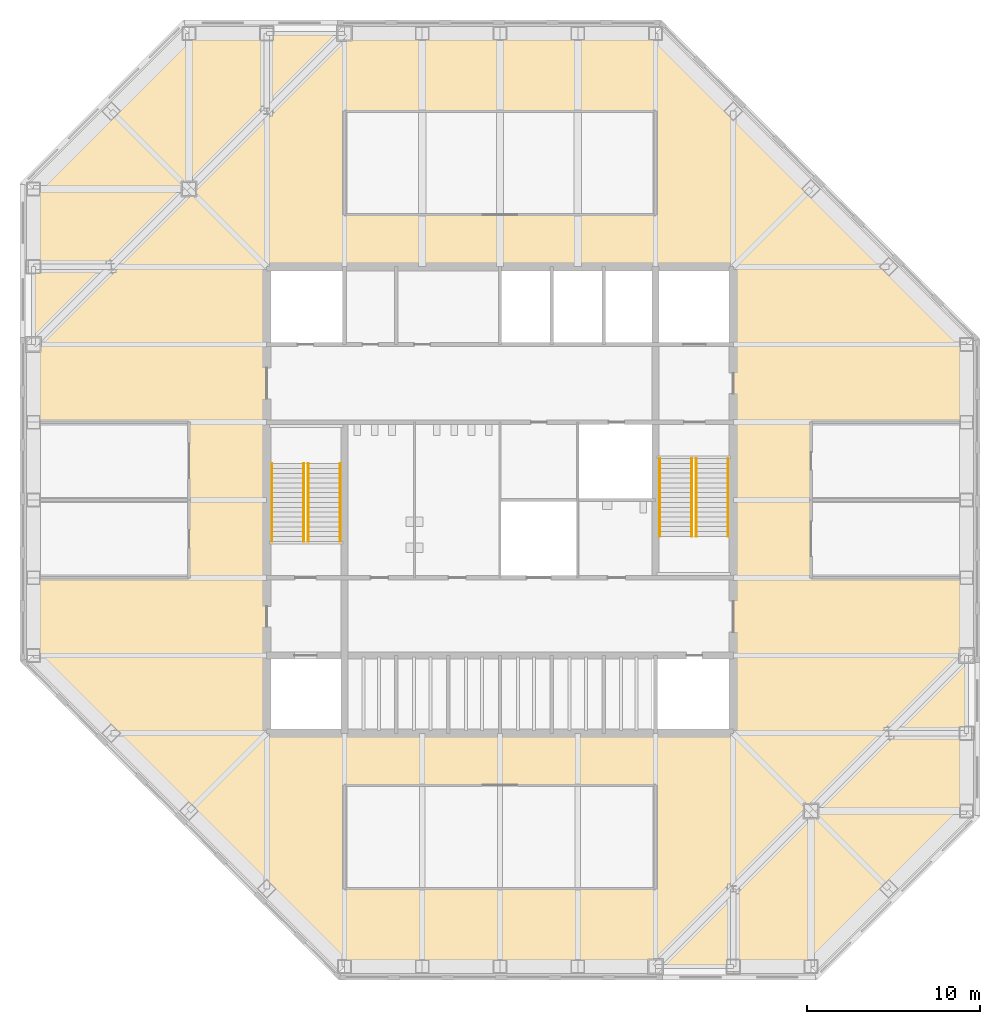
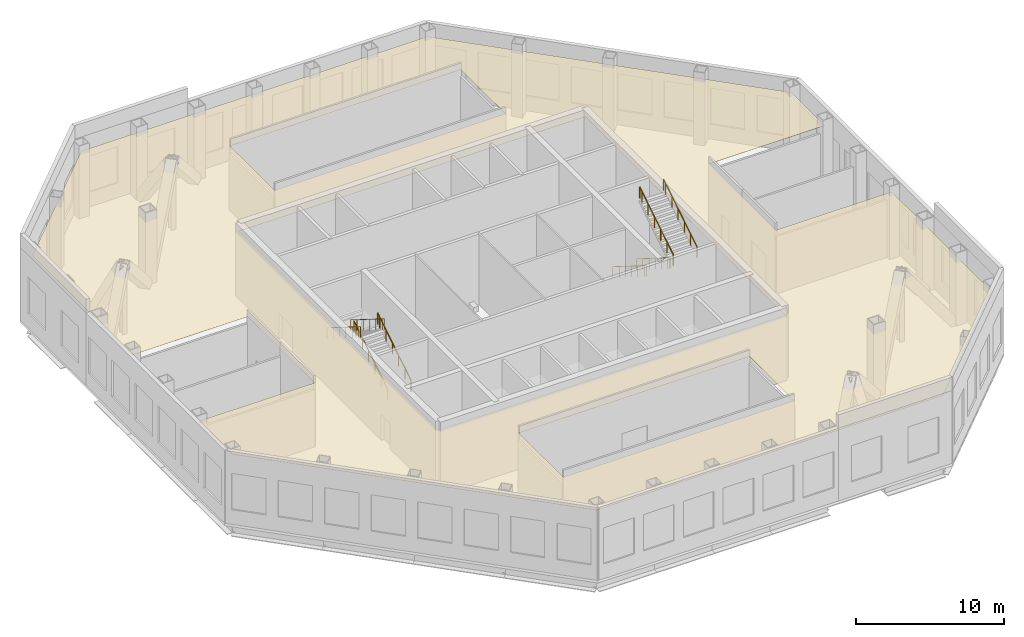
# One storey, part 9 of 10: 8 railings, 1 covering.
"""IFC4 building model written with IfcOpenShell, lengths in metres."""

from ifc_helpers import new_model, si_unit, direction, frame, origin, origin_2d, place, context, subcontext, project, spatial, polyline, circle, outline, extrude, material, layer, layer_set, type_object, element, save


model = new_model("IFC4")

# Units and contexts
model_context = context("Model", 3, precision=1e-05, world=origin(), true_north=direction((0.0, 1.0)))
body_context = subcontext(model_context, "Body", "Model", "MODEL_VIEW")
ifc_project = project(units=[si_unit("LENGTHUNIT", "METRE"), si_unit("AREAUNIT", "SQUARE_METRE"), si_unit("VOLUMEUNIT", "CUBIC_METRE"), si_unit("PLANEANGLEUNIT", "RADIAN"), si_unit("MASSUNIT", "GRAM", prefix="KILO")], contexts=[model_context])

# Site, building, storey
site_placement = place(None, origin())
site = spatial("IfcSite", under=ifc_project, at=site_placement, CompositionType="ELEMENT")
building_placement = place(site_placement, origin())
building = spatial("IfcBuilding", under=site, at=building_placement, Name="Corais Broadcast Tower", CompositionType="ELEMENT")
storey_placement = place(building_placement, frame((0.0, 0.0, 199.60009765625)))
storey = spatial("IfcBuildingStorey", under=building, at=storey_placement, Name="L46", CompositionType="ELEMENT", Elevation=199.60009765625)

# Railings
ifc_material_1 = material(Name="Stainless steel handrail", Category="steel")
railing_type = type_object("IfcRailingType", Name="Handrail 920", PredefinedType="HANDRAIL", material=ifc_material_1)
for number, where, name in (
    (1, (17.75, 24.60009765625, 0.17626953125), "HR1 L46"),
    (2, (15.89990234375, 24.60009765625, 0.17626953125), "HR1 L46"),
):
    element("IfcRailing", number, at=place(storey_placement, frame(where)), inside=storey, type_object=railing_type, Name=name, PredefinedType="HANDRAIL", context=body_context, shape_type="SweptSolid", body=[
        extrude(circle(Radius=0.02392578125, at=origin_2d()), frame((0.0, 0.0, 0.89599609375), z_axis=(0.0, 0.847681201321, 0.530505966911), x_axis=(-1.0, 0.0, 0.0)), (0.0, 0.0, 1.0), 5.32275390625),
        extrude(circle(Radius=0.02099609375, at=origin_2d()), origin(), (0.0, 0.0, 1.0), 0.871826171875),
        extrude(circle(Radius=0.02099609375, at=origin_2d()), frame((0.0, 0.845947265625, 0.529541015625)), (0.0, 0.0, 1.0), 0.871826171875),
        extrude(circle(Radius=0.02099609375, at=origin_2d()), frame((0.0, 1.69189453125, 1.058837890625)), (0.0, 0.0, 1.0), 0.871826171875),
        extrude(circle(Radius=0.02099609375, at=origin_2d()), frame((0.0, 2.5380859375, 1.58837890625)), (0.0, 0.0, 1.0), 0.871826171875),
        extrude(circle(Radius=0.02099609375, at=origin_2d()), frame((0.0, 3.384033203125, 2.11767578125)), (0.0, 0.0, 1.0), 0.871826171875),
        extrude(circle(Radius=0.02099609375, at=origin_2d()), frame((0.0, 4.22998046875, 2.647216796875)), (0.0, 0.0, 1.0), 0.871826171875),
        extrude(circle(Radius=0.02099609375, at=origin_2d()), frame((0.0, 4.511962890625, 2.82373046875)), (0.0, 0.0, 1.0), 0.871826171875),
    ])
for number, where, name in (
    (3, (13.800048828125, 29.112060546875, 3.17626953125), "HR1 L46"),
    (4, (15.64990234375, 29.112060546875, 3.17626953125), "HR1 L46"),
    (5, (36.25, 29.39990234375, 0.17626953125), "HR1 L46"),
    (6, (38.10009765625, 29.39990234375, 0.17626953125), "HR1 L46"),
):
    element("IfcRailing", number, at=place(storey_placement, frame(where)), inside=storey, type_object=railing_type, Name=name, PredefinedType="HANDRAIL", context=body_context, shape_type="SweptSolid", body=[
        extrude(circle(Radius=0.02392578125, at=origin_2d()), frame((0.0, 0.0, 0.89599609375), z_axis=(0.0, -0.847681201321, 0.530505966911), x_axis=(1.0, 0.0, 0.0)), (0.0, 0.0, 1.0), 5.32275390625),
        extrude(circle(Radius=0.02099609375, at=origin_2d()), origin(), (0.0, 0.0, 1.0), 0.871826171875),
        extrude(circle(Radius=0.02099609375, at=origin_2d()), frame((0.0, -0.845947265625, 0.529541015625)), (0.0, 0.0, 1.0), 0.871826171875),
        extrude(circle(Radius=0.02099609375, at=origin_2d()), frame((0.0, -1.69189453125, 1.058837890625)), (0.0, 0.0, 1.0), 0.871826171875),
        extrude(circle(Radius=0.02099609375, at=origin_2d()), frame((0.0, -2.5380859375, 1.58837890625)), (0.0, 0.0, 1.0), 0.871826171875),
        extrude(circle(Radius=0.02099609375, at=origin_2d()), frame((0.0, -3.384033203125, 2.11767578125)), (0.0, 0.0, 1.0), 0.871826171875),
        extrude(circle(Radius=0.02099609375, at=origin_2d()), frame((0.0, -4.22998046875, 2.647216796875)), (0.0, 0.0, 1.0), 0.871826171875),
        extrude(circle(Radius=0.02099609375, at=origin_2d()), frame((0.0, -4.511962890625, 2.82373046875)), (0.0, 0.0, 1.0), 0.871826171875),
    ])
for number, where, name in (
    (7, (40.199951171875, 24.887939453125, 3.17626953125), "HR1 L46"),
    (8, (38.35009765625, 24.887939453125, 3.17626953125), "HR1 L46"),
):
    element("IfcRailing", number, at=place(storey_placement, frame(where)), inside=storey, type_object=railing_type, Name=name, PredefinedType="HANDRAIL", context=body_context, shape_type="SweptSolid", body=[
        extrude(circle(Radius=0.02392578125, at=origin_2d()), frame((0.0, 0.0, 0.89599609375), z_axis=(0.0, 0.847681201321, 0.530505966911), x_axis=(-1.0, 0.0, 0.0)), (0.0, 0.0, 1.0), 5.32275390625),
        extrude(circle(Radius=0.02099609375, at=origin_2d()), origin(), (0.0, 0.0, 1.0), 0.871826171875),
        extrude(circle(Radius=0.02099609375, at=origin_2d()), frame((0.0, 0.845947265625, 0.529541015625)), (0.0, 0.0, 1.0), 0.871826171875),
        extrude(circle(Radius=0.02099609375, at=origin_2d()), frame((0.0, 1.69189453125, 1.058837890625)), (0.0, 0.0, 1.0), 0.871826171875),
        extrude(circle(Radius=0.02099609375, at=origin_2d()), frame((0.0, 2.5380859375, 1.58837890625)), (0.0, 0.0, 1.0), 0.871826171875),
        extrude(circle(Radius=0.02099609375, at=origin_2d()), frame((0.0, 3.384033203125, 2.11767578125)), (0.0, 0.0, 1.0), 0.871826171875),
        extrude(circle(Radius=0.02099609375, at=origin_2d()), frame((0.0, 4.22998046875, 2.647216796875)), (0.0, 0.0, 1.0), 0.871826171875),
        extrude(circle(Radius=0.02099609375, at=origin_2d()), frame((0.0, 4.511962890625, 2.82373046875)), (0.0, 0.0, 1.0), 0.871826171875),
    ])

# Covering
ifc_material_2 = material(Name="Mineral fibre ceiling tile", Category="mineral")
ifc_layer = layer(ifc_material_2, 0.02001953125)
ifc_layer_set = layer_set([ifc_layer], Name="Mineral fibre ceiling tile")
covering_type = type_object("IfcCoveringType", Name="Suspended ceiling", PredefinedType="CEILING", material=ifc_layer_set)
covering_placement = place(storey_placement, frame((0.0, 0.0, 5.199951171875)))
element("IfcCovering", 9, at=covering_placement, inside=storey, type_object=covering_type, Name="CE1 ceiling L46", PredefinedType="CEILING", context=body_context, shape_type="SweptSolid", body=[
    extrude(outline(polyline([(0.0, 22.5), (9.0, 22.5), (9.0, 31.5), (0.0, 31.5), (0.0, 45.0), (9.0, 54.0), (36.0, 54.0), (54.0, 36.0), (54.0, 31.5), (45.0, 31.5), (45.0, 22.5), (54.0, 22.5), (54.0, 9.0), (45.0, 0.0), (18.0, 0.0), (0.0, 18.0), (0.0, 22.5)]), holes=[polyline([(13.5, 40.5), (13.5, 13.5), (40.5, 13.5), (40.5, 40.5), (13.5, 40.5)]), polyline([(18.0, 10.5), (18.0, 4.5), (36.0, 4.5), (36.0, 10.5), (18.0, 10.5)]), polyline([(36.0, 49.5), (18.0, 49.5), (18.0, 43.5), (36.0, 43.5), (36.0, 49.5)])]), origin(), (0.0, 0.0, 1.0), 0.02001953125),
])

save(model, "model.ifc")
